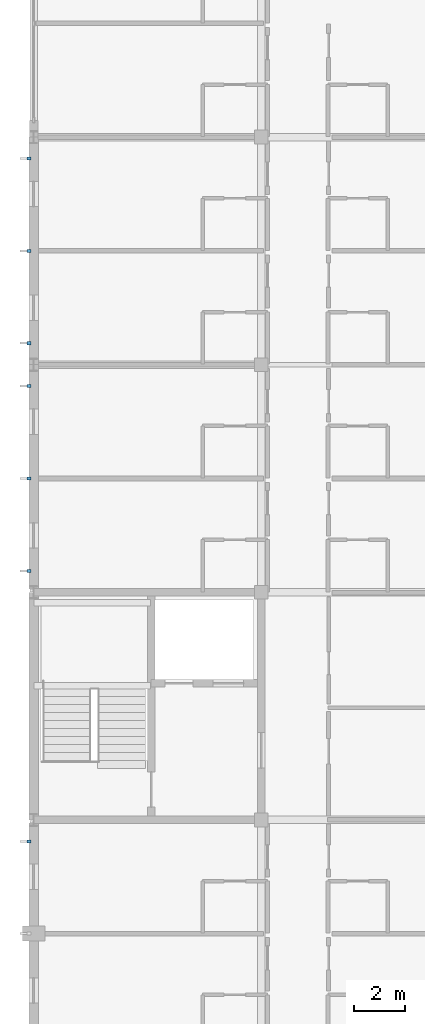
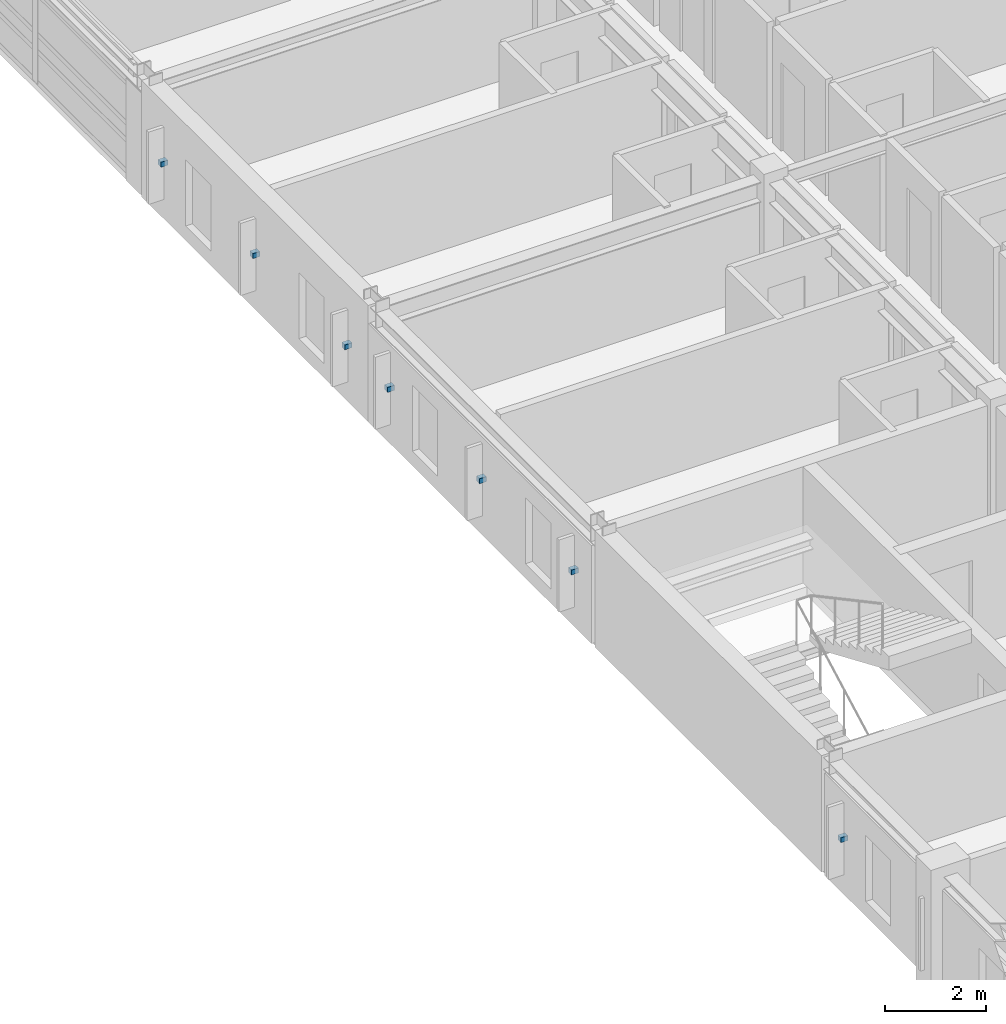
# One storey, part 33 of 37: 7 discrete accessories.
"""IFC4 building model written with IfcOpenShell, lengths in metres."""

import ifcopenshell
import ifcopenshell.guid

model = None  # the IFC model being written
_history = None  # IfcOwnerHistory: only IFC2X3 demands one
_inside = {}  # id of a spatial element -> (the spatial element, [elements in it])
_under = {}  # id of a project, library or spatial element -> (it, [spatial elements below it])
_declared = {}  # id of a project -> (the project, [libraries it declares])
_typed = {}  # id of a type object -> (the type object, [elements of that type])
_made_of = {}  # id of a material, layer set ... -> (it, [elements and type objects made of it])


def new_model(schema):
    """Start an empty IFC model of exactly this schema.

    Asked for "IFC4X3", IfcOpenShell would pick the latest addendum, in which some entities
    have other attributes; the version numbers below select the first issue.
    IFC2X3 requires an IfcOwnerHistory on every rooted entity: one is made here for all.
    """
    global model, _history
    if schema == "IFC4X3":
        model = ifcopenshell.file(schema_version=(4, 3, 0, 0))
    else:
        model = ifcopenshell.file(schema=schema)
    _inside.clear()
    _under.clear()
    _declared.clear()
    _typed.clear()
    _made_of.clear()
    _history = None
    if model.schema == "IFC2X3":
        org = make("IfcOrganization", Name="unknown")
        user = make(
            "IfcPersonAndOrganization",
            ThePerson=make("IfcPerson", FamilyName="unknown"),
            TheOrganization=org,
        )
        app = make(
            "IfcApplication",
            ApplicationDeveloper=org,
            Version="unknown",
            ApplicationFullName="unknown",
            ApplicationIdentifier="unknown",
        )
        _history = make(
            "IfcOwnerHistory",
            OwningUser=user,
            OwningApplication=app,
            ChangeAction="ADDED",
            CreationDate=0,
        )
    return model


def make(cls, **values):
    """One entity of the class cls with the attributes given. An attribute that is None is left unset."""
    return model.create_entity(
        cls, **{name: value for name, value in values.items() if value is not None}
    )


def rooted(cls, **values):
    """An entity with a GlobalId (a new one), such as an element, a storey or a relation."""
    return make(cls, GlobalId=ifcopenshell.guid.new(), OwnerHistory=_history, **values)


def si_unit(unit_type, name, prefix=None):
    """IfcSIUnit, for example si_unit("LENGTHUNIT", "METRE", prefix="MILLI")."""
    return make("IfcSIUnit", UnitType=unit_type, Prefix=prefix, Name=name)


def assignment(units):
    """IfcUnitAssignment: the units of a project."""
    return None if units is None else make("IfcUnitAssignment", Units=units)


def point(xyz):
    """IfcCartesianPoint."""
    return None if xyz is None else make("IfcCartesianPoint", Coordinates=xyz)


def direction(xyz):
    """IfcDirection."""
    return None if xyz is None else make("IfcDirection", DirectionRatios=xyz)


def frame(location, z_axis=None, x_axis=None):
    """IfcAxis2Placement3D, a coordinate frame: its origin and axes. An axis left out is left unset."""
    return make(
        "IfcAxis2Placement3D",
        Location=point(location),
        Axis=direction(z_axis),
        RefDirection=direction(x_axis),
    )


def frame_2d(location, x_axis=None):
    """IfcAxis2Placement2D, a coordinate frame in the plane: its origin and x axis."""
    return make(
        "IfcAxis2Placement2D", Location=point(location), RefDirection=direction(x_axis)
    )


def origin():
    """The frame at (0, 0, 0) with its axes left unset."""
    return frame((0.0, 0.0, 0.0))


def origin_2d():
    """The frame at (0, 0) in the plane with its x axis left unset."""
    return frame_2d((0.0, 0.0))


def place(relative_to, where):
    """IfcLocalPlacement: puts the frame where relative to a parent placement (None: the world)."""
    return make(
        "IfcLocalPlacement", PlacementRelTo=relative_to, RelativePlacement=where
    )


def context(
    kind, dimensions, precision=None, world=None, true_north=None, identifier=None
):
    """IfcGeometricRepresentationContext, for example the 3D "Model" context."""
    return make(
        "IfcGeometricRepresentationContext",
        ContextIdentifier=identifier,
        ContextType=kind,
        CoordinateSpaceDimension=dimensions,
        Precision=precision,
        WorldCoordinateSystem=world,
        TrueNorth=true_north,
    )


def subcontext(parent, identifier, kind, view, scale=None):
    """IfcGeometricRepresentationSubContext, for example "Body" below "Model"."""
    return make(
        "IfcGeometricRepresentationSubContext",
        ContextIdentifier=identifier,
        ContextType=kind,
        ParentContext=parent,
        TargetScale=scale,
        TargetView=view,
    )


def project(units=None, contexts=None):
    """IfcProject with its units and contexts."""
    return rooted(
        "IfcProject",
        Name="project",
        RepresentationContexts=contexts,
        UnitsInContext=assignment(units),
    )


def spatial(cls, under=None, at=None, **own):
    """A site, building, storey or space (cls), placed at a placement, below another one or the project."""
    s = rooted(cls, ObjectPlacement=at, **own)
    if under is not None:
        _under.setdefault(under.id(), (under, []))[1].append(s)
    return s


def profile(cls, at=None, kind="AREA", **sizes):
    """A parametric profile (cls). Its sizes go by their IFC names, for example OverallWidth=200.0."""
    return make(cls, ProfileType=kind, Position=at, **sizes)


def rectangle(**sizes):
    """IfcRectangleProfileDef."""
    return profile("IfcRectangleProfileDef", **sizes)


def extrude(swept, where, along, depth):
    """IfcExtrudedAreaSolid: the profile swept, set in the frame where, extruded along a direction by depth."""
    return make(
        "IfcExtrudedAreaSolid",
        SweptArea=swept,
        Position=where,
        ExtrudedDirection=direction(along),
        Depth=depth,
    )


def shape(context_of_items, identifier, shape_type, items):
    """IfcShapeRepresentation: the items that make up one representation, for example the "Body"."""
    return make(
        "IfcShapeRepresentation",
        ContextOfItems=context_of_items,
        RepresentationIdentifier=identifier,
        RepresentationType=shape_type,
        Items=items,
    )


def material(Name=None, Category=None):
    """IfcMaterial."""
    return make("IfcMaterial", Name=Name, Category=Category)


def made_of(thing, what):
    """Note that an element or type object is made of a material, layer set ...; save() writes the relation."""
    if what is not None:
        _made_of.setdefault(what.id(), (what, []))[1].append(thing)
    return thing


def type_object(cls, material=None, **own):
    """A type object (cls), such as IfcWallType, which elements share."""
    return made_of(rooted(cls, **own), material)


def element(
    cls,
    number,
    at=None,
    inside=None,
    cuts=None,
    type_object=None,
    material=None,
    context=None,
    identifier="Body",
    shape_type=None,
    held_by="IfcProductDefinitionShape",
    body=None,
    shapes=None,
    **own,
):
    """One element of the class cls, such as IfcWall. Its Tag is "e" and its number.

    at: its placement. inside: the storey or other place that contains it. cuts: it is an
    opening in that element (IfcRelVoidsElement). A single representation is given by context,
    identifier, shape_type and body (its items); several are given by shapes. held_by: the class
    of the entity that holds the representations. save() writes the other relations.
    """
    e = rooted(cls, Tag="e%d" % number, ObjectPlacement=at, **own)
    if body is not None:
        shapes = [shape(context, identifier, shape_type, body)]
    if shapes is not None:
        e.Representation = make(held_by, Representations=shapes)
    if inside is not None:
        _inside.setdefault(inside.id(), (inside, []))[1].append(e)
    if cuts is not None:
        rooted(
            "IfcRelVoidsElement", RelatingBuildingElement=cuts, RelatedOpeningElement=e
        )
    if type_object is not None:
        _typed.setdefault(type_object.id(), (type_object, []))[1].append(e)
    return made_of(e, material)


def aggregate(whole, parts):
    """IfcRelAggregates: a whole, such as a stair, and the parts it consists of."""
    return rooted("IfcRelAggregates", RelatingObject=whole, RelatedObjects=parts)


def save(model, path):
    """Write the relations noted so far, then the file.

    IfcRelAggregates (storeys below a building ...), IfcRelContainedInSpatialStructure (elements
    in a storey), IfcRelDefinesByType, IfcRelAssociatesMaterial and IfcRelDeclares: one each for
    every whole, place, type object, material and project.
    """
    for whole, parts in _under.values():
        aggregate(whole, parts)
    for where, things in _inside.values():
        rooted(
            "IfcRelContainedInSpatialStructure",
            RelatedElements=things,
            RelatingStructure=where,
        )
    for kind, things in _typed.values():
        rooted("IfcRelDefinesByType", RelatedObjects=things, RelatingType=kind)
    for what, things in _made_of.values():
        rooted("IfcRelAssociatesMaterial", RelatedObjects=things, RelatingMaterial=what)
    for by, libraries in _declared.values():
        rooted("IfcRelDeclares", RelatingContext=by, RelatedDefinitions=libraries)
    model.write(path)


model = new_model("IFC4")

# Units and contexts
model_context = context("Model", 3, precision=1e-05, world=origin(), true_north=direction((0.0, 1.0)))
body_context = subcontext(model_context, "Body", "Model", "MODEL_VIEW")
ifc_project = project(units=[si_unit("LENGTHUNIT", "METRE"), si_unit("AREAUNIT", "SQUARE_METRE"), si_unit("VOLUMEUNIT", "CUBIC_METRE"), si_unit("PLANEANGLEUNIT", "RADIAN"), si_unit("MASSUNIT", "GRAM", prefix="KILO")], contexts=[model_context])

# Site, building, storey
site_placement = place(None, origin())
site = spatial("IfcSite", under=ifc_project, at=site_placement, CompositionType="ELEMENT")
building_placement = place(site_placement, origin())
building = spatial("IfcBuilding", under=site, at=building_placement, Name="Palais des Congres Ocreval", CompositionType="ELEMENT")
storey_placement = place(building_placement, frame((0.0, 0.0, 11.52001953125)))
storey = spatial("IfcBuildingStorey", under=building, at=storey_placement, Name="L03", CompositionType="ELEMENT", Elevation=11.52001953125)

# Discrete accessories
ifc_material = material(Name="Steel S355", Category="steel")
discrete_accessory_type = type_object("IfcDiscreteAccessoryType", Name="Stainless Brise-Soleil Fixing Bracket", PredefinedType="BRACKET", material=ifc_material)
for number, where, z_axis, x_axis, name in (
    (1, (-0.18994140625, 35.14990234375, 1.2900390625), (0.0, 0.0, 1.0), (-1.0, 0.0, 0.0), "Celosia Fixing Bracket BK01"),
    (2, (-0.18994140625, 45.85009765625, 1.2900390625), (0.0, 0.0, 1.0), (-1.0, 0.0, 0.0), "Celosia Fixing Bracket BK01"),
    (3, (-0.18994140625, 49.5, 1.2900390625), (0.0, 0.0, 1.0), (-1.0, 0.0, 0.0), "Celosia Fixing Bracket BK01"),
    (4, (-0.18994140625, 53.14990234375, 1.2900390625), (0.0, 0.0, 1.0), (-1.0, 0.0, 0.0), "Celosia Fixing Bracket BK01"),
    (5, (-0.18994140625, 54.85009765625, 1.2900390625), (0.0, 0.0, 1.0), (-1.0, 0.0, 0.0), "Celosia Fixing Bracket BK01"),
    (6, (-0.18994140625, 58.5, 1.2900390625), (0.0, 0.0, 1.0), (-1.0, 0.0, 0.0), "Celosia Fixing Bracket BK01"),
    (7, (-0.18994140625, 62.14990234375, 1.2900390625), (0.0, 0.0, 1.0), (-1.0, 0.0, 0.0), "Celosia Fixing Bracket BK01"),
):
    element("IfcDiscreteAccessory", number, at=place(storey_placement, frame(where, z_axis=z_axis, x_axis=x_axis)), inside=storey, type_object=discrete_accessory_type, Name=name, PredefinedType="BRACKET", context=body_context, shape_type="SweptSolid", body=[
        extrude(rectangle(XDim=0.159912109375, YDim=0.1201171875, at=origin_2d()), origin(), (0.0, 0.0, 1.0), 0.1201171875),
    ])

save(model, "model.ifc")
